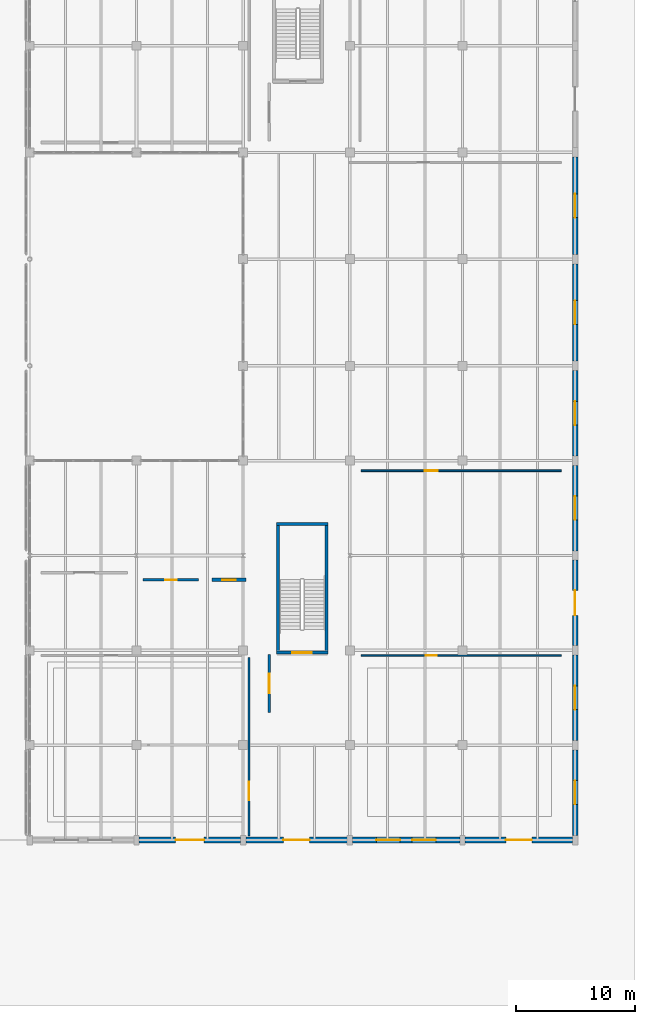
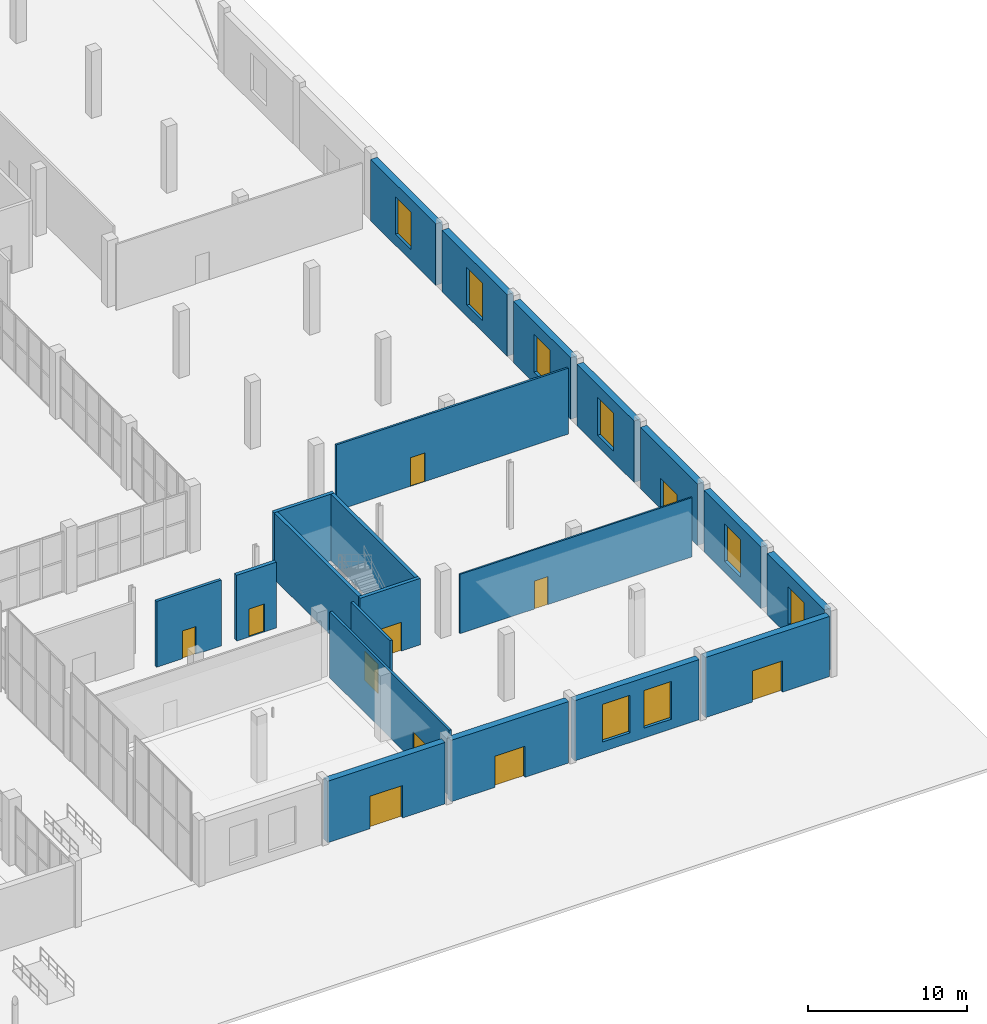
# One storey, part 88 of 103: 21 walls, 11 doors, 8 windows, 19 openings.
"""IFC4 building model written with IfcOpenShell, lengths in metres."""

from ifc_helpers import new_model, si_unit, direction, frame, frame_2d, origin, place, context, subcontext, project, spatial, rectangle, extrude, material, layer, layer_set, type_object, element, fill, save


model = new_model("IFC4")

# Units and contexts
model_context = context("Model", 3, precision=1e-05, world=origin(), true_north=direction((0.0, 1.0)))
body_context = subcontext(model_context, "Body", "Model", "MODEL_VIEW")
ifc_project = project(units=[si_unit("LENGTHUNIT", "METRE"), si_unit("AREAUNIT", "SQUARE_METRE"), si_unit("VOLUMEUNIT", "CUBIC_METRE"), si_unit("PLANEANGLEUNIT", "RADIAN"), si_unit("MASSUNIT", "GRAM", prefix="KILO")], contexts=[model_context])

# Site, building, storey
site_placement = place(None, origin())
site = spatial("IfcSite", under=ifc_project, at=site_placement, CompositionType="ELEMENT")
building_placement = place(site_placement, origin())
building = spatial("IfcBuilding", under=site, at=building_placement, Name="Marnock Terrace Opera House", CompositionType="ELEMENT")
storey_placement = place(building_placement, origin())
storey = spatial("IfcBuildingStorey", under=building, at=storey_placement, Name="L00", CompositionType="ELEMENT", Elevation=0.0)

# Wall, opening, door
ifc_material_1 = material(Name="Carey Gully rusticated stone masonry", Category="masonry")
ifc_layer_1 = layer(ifc_material_1, 0.47998046875)
ifc_layer_set_1 = layer_set([ifc_layer_1], Name="Carey Gully rusticated stone masonry")
wall_type_1 = type_object("IfcWallType", Name="EW-BASE-480", PredefinedType="SOLIDWALL", material=ifc_layer_set_1)
wall_1_placement = place(storey_placement, frame((135.779052734375, 8.0, 0.0), z_axis=(0.0, 0.0, 1.0), x_axis=(-1.0, 0.0, 0.0)))
wall_1 = element("IfcWall", 1, at=wall_1_placement, inside=storey, type_object=wall_type_1, Name="L00 Volume 5 south sandstone facade 2", PredefinedType="SOLIDWALL", context=body_context, shape_type="SweptSolid", body=[
    extrude(rectangle(XDim=8.55810546875, YDim=0.47998046875, at=frame_2d((4.279052734375, 0.0))), origin(), (0.0, 0.0, 1.0), 4.7314453125),
])
opening_1_placement = place(wall_1_placement, frame((3.0791015625, 0.0, 0.0)))
opening_1 = element("IfcOpeningElement", 2, at=opening_1_placement, cuts=wall_1, Name="Opening ED-13", PredefinedType="OPENING", context=body_context, shape_type="SweptSolid", body=[
    extrude(rectangle(XDim=2.39990234375, YDim=2.5, at=frame_2d((1.199951171875, 1.25))), frame((0.0, 0.25, 0.0), z_axis=(0.0, -1.0, 0.0), x_axis=(1.0, 0.0, 0.0)), (0.0, 0.0, 1.0), 0.5),
])
ifc_material_2 = material(Name="Anodised architectural bronze aluminium framing", Category="aluminium")
door_type_1 = type_object("IfcDoorType", Name="DT-EXIT-2400", OperationType="NOTDEFINED", PredefinedType="DOOR", material=ifc_material_2)
door_1_placement = place(opening_1_placement, origin())
door_1 = element("IfcDoor", 3, at=door_1_placement, inside=storey, type_object=door_type_1, Name="Exterior door ED-13", OperationType="DOUBLE_DOOR_SINGLE_SWING", OverallHeight=2.5, OverallWidth=2.39990234375, PredefinedType="DOOR", context=body_context, shape_type="SweptSolid", body=[
    extrude(rectangle(XDim=2.39990234375, YDim=2.5, at=frame_2d((1.199951171875, 1.25))), frame((0.0, 0.02490234375, 0.0), z_axis=(0.0, -1.0, 0.0), x_axis=(1.0, 0.0, 0.0)), (0.0, 0.0, 1.0), 0.050048828125),
])
fill(opening_1, door_1)

wall_2_placement = place(storey_placement, frame((144.779052734375, 8.0, 0.0), z_axis=(0.0, 0.0, 1.0), x_axis=(-1.0, 0.0, 0.0)))
wall_2 = element("IfcWall", 4, at=wall_2_placement, inside=storey, type_object=wall_type_1, Name="L00 Volume 5 south sandstone facade 3", PredefinedType="SOLIDWALL", context=body_context, shape_type="SweptSolid", body=[
    extrude(rectangle(XDim=8.55810546875, YDim=0.47998046875, at=frame_2d((4.279052734375, 0.0))), origin(), (0.0, 0.0, 1.0), 4.7314453125),
])
opening_2_placement = place(wall_2_placement, frame((3.178955078125, 0.0, 0.0)))
opening_2 = element("IfcOpeningElement", 5, at=opening_2_placement, cuts=wall_2, Name="Opening ED-20", PredefinedType="OPENING", context=body_context, shape_type="SweptSolid", body=[
    extrude(rectangle(XDim=2.199951171875, YDim=2.39990234375, at=frame_2d((1.10009765625, 1.199951171875))), frame((0.0, 0.25, 0.0), z_axis=(0.0, -1.0, 0.0), x_axis=(1.0, 0.0, 0.0)), (0.0, 0.0, 1.0), 0.5),
])
door_type_2 = type_object("IfcDoorType", Name="DT-EXIT-2200", OperationType="NOTDEFINED", PredefinedType="DOOR", material=ifc_material_2)
door_2_placement = place(opening_2_placement, origin())
door_2 = element("IfcDoor", 6, at=door_2_placement, inside=storey, type_object=door_type_2, Name="Exterior door ED-20", OperationType="DOUBLE_DOOR_SINGLE_SWING", OverallHeight=2.39990234375, OverallWidth=2.199951171875, PredefinedType="DOOR", context=body_context, shape_type="SweptSolid", body=[
    extrude(rectangle(XDim=2.199951171875, YDim=2.39990234375, at=frame_2d((1.10009765625, 1.199951171875))), frame((0.0, 0.02490234375, 0.0), z_axis=(0.0, -1.0, 0.0), x_axis=(1.0, 0.0, 0.0)), (0.0, 0.0, 1.0), 0.050048828125),
])
fill(opening_2, door_2)

# Wall, openings, windows
wall_3_placement = place(storey_placement, frame((145.220947265625, 8.0, 0.0), z_axis=(0.0, 0.0, 1.0), x_axis=(1.0, 0.0, 0.0)))
wall_3 = element("IfcWall", 7, at=wall_3_placement, inside=storey, type_object=wall_type_1, Name="L00 Volume 5 south sandstone facade 4", PredefinedType="SOLIDWALL", context=body_context, shape_type="SweptSolid", body=[
    extrude(rectangle(XDim=9.05810546875, YDim=0.47998046875, at=frame_2d((4.529052734375, 0.0))), origin(), (0.0, 0.0, 1.0), 4.629638671875),
])
opening_3_placement = place(wall_3_placement, frame((2.019287109375, 0.0, 0.75)))
opening_3 = element("IfcOpeningElement", 8, at=opening_3_placement, cuts=wall_3, Name="Opening WT-59", PredefinedType="OPENING", context=body_context, shape_type="SweptSolid", body=[
    extrude(rectangle(XDim=2.0, YDim=2.89990234375, at=frame_2d((1.0, 1.449951171875))), frame((0.0, 0.25, 0.0), z_axis=(0.0, -1.0, 0.0), x_axis=(1.0, 0.0, 0.0)), (0.0, 0.0, 1.0), 0.5),
])
opening_4_placement = place(wall_3_placement, frame((5.038818359375, 0.0, 0.75)))
opening_4 = element("IfcOpeningElement", 9, at=opening_4_placement, cuts=wall_3, Name="Opening WT-59", PredefinedType="OPENING", context=body_context, shape_type="SweptSolid", body=[
    extrude(rectangle(XDim=2.0, YDim=2.89990234375, at=frame_2d((1.0, 1.449951171875))), frame((0.0, 0.25, 0.0), z_axis=(0.0, -1.0, 0.0), x_axis=(1.0, 0.0, 0.0)), (0.0, 0.0, 1.0), 0.5),
])
ifc_material_3 = material(Name="Double-glazed acoustic low-E laminated glass", Category="glass")
window_type = type_object("IfcWindowType", Name="WT-ARCH-2000", PartitioningType="DOUBLE_PANEL_VERTICAL", PredefinedType="WINDOW", material=ifc_material_3)
window_1_placement = place(opening_3_placement, origin())
window_1 = element("IfcWindow", 10, at=window_1_placement, inside=storey, type_object=window_type, Name="L00 facade window EW-V5S-L00-4.1", OverallHeight=2.89990234375, OverallWidth=2.0, PartitioningType="SINGLE_PANEL", PredefinedType="WINDOW", context=body_context, shape_type="SweptSolid", body=[
    extrude(rectangle(XDim=2.0, YDim=2.89990234375, at=frame_2d((1.0, 1.449951171875))), frame((0.0, 0.030029296875, 0.0), z_axis=(0.0, -1.0, 0.0), x_axis=(1.0, 0.0, 0.0)), (0.0, 0.0, 1.0), 0.06005859375),
])
fill(opening_3, window_1)
window_2_placement = place(opening_4_placement, origin())
window_2 = element("IfcWindow", 11, at=window_2_placement, inside=storey, type_object=window_type, Name="L00 facade window EW-V5S-L00-4.2", OverallHeight=2.89990234375, OverallWidth=2.0, PartitioningType="SINGLE_PANEL", PredefinedType="WINDOW", context=body_context, shape_type="SweptSolid", body=[
    extrude(rectangle(XDim=2.0, YDim=2.89990234375, at=frame_2d((1.0, 1.449951171875))), frame((0.0, 0.030029296875, 0.0), z_axis=(0.0, -1.0, 0.0), x_axis=(1.0, 0.0, 0.0)), (0.0, 0.0, 1.0), 0.06005859375),
])
fill(opening_4, window_2)

# Wall, opening, door
wall_4_placement = place(storey_placement, frame((163.779052734375, 8.0, 0.0), z_axis=(0.0, 0.0, 1.0), x_axis=(-1.0, 0.0, 0.0)))
wall_4 = element("IfcWall", 12, at=wall_4_placement, inside=storey, type_object=wall_type_1, Name="L00 Volume 5 south sandstone facade 5", PredefinedType="SOLIDWALL", context=body_context, shape_type="SweptSolid", body=[
    extrude(rectangle(XDim=9.05810546875, YDim=0.47998046875, at=frame_2d((4.529052734375, 0.0))), origin(), (0.0, 0.0, 1.0), 4.629638671875),
])
opening_5_placement = place(wall_4_placement, frame((3.428955078125, 0.0, 0.0)))
opening_5 = element("IfcOpeningElement", 13, at=opening_5_placement, cuts=wall_4, Name="Opening ED-14", PredefinedType="OPENING", context=body_context, shape_type="SweptSolid", body=[
    extrude(rectangle(XDim=2.199951171875, YDim=2.39990234375, at=frame_2d((1.10009765625, 1.199951171875))), frame((0.0, 0.25, 0.0), z_axis=(0.0, -1.0, 0.0), x_axis=(1.0, 0.0, 0.0)), (0.0, 0.0, 1.0), 0.5),
])
door_3_placement = place(opening_5_placement, origin())
door_3 = element("IfcDoor", 14, at=door_3_placement, inside=storey, type_object=door_type_2, Name="Exterior door ED-14", OperationType="DOUBLE_DOOR_SINGLE_SWING", OverallHeight=2.39990234375, OverallWidth=2.199951171875, PredefinedType="DOOR", context=body_context, shape_type="SweptSolid", body=[
    extrude(rectangle(XDim=2.199951171875, YDim=2.39990234375, at=frame_2d((1.10009765625, 1.199951171875))), frame((0.0, 0.02490234375, 0.0), z_axis=(0.0, -1.0, 0.0), x_axis=(1.0, 0.0, 0.0)), (0.0, 0.0, 1.0), 0.050048828125),
])
fill(opening_5, door_3)

# Wall, opening, window
wall_5_placement = place(storey_placement, frame((164.0, 8.39599609375, 0.0), z_axis=(0.0, 0.0, 1.0), x_axis=(0.0, 1.0, 0.0)))
wall_5 = element("IfcWall", 15, at=wall_5_placement, inside=storey, type_object=wall_type_1, Name="L00 Volume 5 east sandstone facade 1", PredefinedType="SOLIDWALL", context=body_context, shape_type="SweptSolid", body=[
    extrude(rectangle(XDim=7.2080078125, YDim=0.47998046875, at=frame_2d((3.60400390625, 0.0))), origin(), (0.0, 0.0, 1.0), 4.7314453125),
])
opening_6_placement = place(wall_5_placement, frame((2.60400390625, 0.0, 0.85009765625)))
opening_6 = element("IfcOpeningElement", 16, at=opening_6_placement, cuts=wall_5, Name="Opening WT-59", PredefinedType="OPENING", context=body_context, shape_type="SweptSolid", body=[
    extrude(rectangle(XDim=2.0, YDim=2.89990234375, at=frame_2d((1.0, 1.449951171875))), frame((0.0, 0.25, 0.0), z_axis=(0.0, -1.0, 0.0), x_axis=(1.0, 0.0, 0.0)), (0.0, 0.0, 1.0), 0.5),
])
window_3_placement = place(opening_6_placement, origin())
window_3 = element("IfcWindow", 17, at=window_3_placement, inside=storey, type_object=window_type, Name="L00 facade window EW-V5E-L00-01.1", OverallHeight=2.89990234375, OverallWidth=2.0, PartitioningType="SINGLE_PANEL", PredefinedType="WINDOW", context=body_context, shape_type="SweptSolid", body=[
    extrude(rectangle(XDim=2.0, YDim=2.89990234375, at=frame_2d((1.0, 1.449951171875))), frame((0.0, 0.030029296875, 0.0), z_axis=(0.0, -1.0, 0.0), x_axis=(1.0, 0.0, 0.0)), (0.0, 0.0, 1.0), 0.06005859375),
])
fill(opening_6, window_3)

wall_6_placement = place(storey_placement, frame((164.0, 16.39599609375, 0.0), z_axis=(0.0, 0.0, 1.0), x_axis=(0.0, 1.0, 0.0)))
wall_6 = element("IfcWall", 18, at=wall_6_placement, inside=storey, type_object=wall_type_1, Name="L00 Volume 5 east sandstone facade 2", PredefinedType="SOLIDWALL", context=body_context, shape_type="SweptSolid", body=[
    extrude(rectangle(XDim=7.2080078125, YDim=0.47998046875, at=frame_2d((3.60400390625, 0.0))), origin(), (0.0, 0.0, 1.0), 4.7314453125),
])
opening_7_placement = place(wall_6_placement, frame((2.60400390625, 0.0, 0.85009765625)))
opening_7 = element("IfcOpeningElement", 19, at=opening_7_placement, cuts=wall_6, Name="Opening WT-59", PredefinedType="OPENING", context=body_context, shape_type="SweptSolid", body=[
    extrude(rectangle(XDim=2.0, YDim=2.89990234375, at=frame_2d((1.0, 1.449951171875))), frame((0.0, 0.25, 0.0), z_axis=(0.0, -1.0, 0.0), x_axis=(1.0, 0.0, 0.0)), (0.0, 0.0, 1.0), 0.5),
])
window_4_placement = place(opening_7_placement, origin())
window_4 = element("IfcWindow", 20, at=window_4_placement, inside=storey, type_object=window_type, Name="L00 facade window EW-V5E-L00-02.1", OverallHeight=2.89990234375, OverallWidth=2.0, PartitioningType="SINGLE_PANEL", PredefinedType="WINDOW", context=body_context, shape_type="SweptSolid", body=[
    extrude(rectangle(XDim=2.0, YDim=2.89990234375, at=frame_2d((1.0, 1.449951171875))), frame((0.0, 0.030029296875, 0.0), z_axis=(0.0, -1.0, 0.0), x_axis=(1.0, 0.0, 0.0)), (0.0, 0.0, 1.0), 0.06005859375),
])
fill(opening_7, window_4)

# Wall, opening, door
wall_7_placement = place(storey_placement, frame((164.0, 24.39599609375, 0.0), z_axis=(0.0, 0.0, 1.0), x_axis=(0.0, 1.0, 0.0)))
wall_7 = element("IfcWall", 21, at=wall_7_placement, inside=storey, type_object=wall_type_1, Name="L00 Volume 5 east sandstone facade 3", PredefinedType="SOLIDWALL", context=body_context, shape_type="SweptSolid", body=[
    extrude(rectangle(XDim=7.2080078125, YDim=0.47998046875, at=frame_2d((3.60400390625, 0.0))), origin(), (0.0, 0.0, 1.0), 4.7314453125),
])
opening_8_placement = place(wall_7_placement, frame((2.553955078125, 0.0, 0.0)))
opening_8 = element("IfcOpeningElement", 22, at=opening_8_placement, cuts=wall_7, Name="Opening ED-15", PredefinedType="OPENING", context=body_context, shape_type="SweptSolid", body=[
    extrude(rectangle(XDim=2.10009765625, YDim=2.35009765625, at=frame_2d((1.050048828125, 1.175048828125))), frame((0.0, 0.25, 0.0), z_axis=(0.0, -1.0, 0.0), x_axis=(1.0, 0.0, 0.0)), (0.0, 0.0, 1.0), 0.5),
])
door_type_3 = type_object("IfcDoorType", Name="DT-EXIT-2100", OperationType="NOTDEFINED", PredefinedType="DOOR", material=ifc_material_2)
door_4_placement = place(opening_8_placement, origin())
door_4 = element("IfcDoor", 23, at=door_4_placement, inside=storey, type_object=door_type_3, Name="Exterior door ED-15", OperationType="DOUBLE_DOOR_SINGLE_SWING", OverallHeight=2.35009765625, OverallWidth=2.10009765625, PredefinedType="DOOR", context=body_context, shape_type="SweptSolid", body=[
    extrude(rectangle(XDim=2.10009765625, YDim=2.35009765625, at=frame_2d((1.050048828125, 1.175048828125))), frame((0.0, 0.02490234375, 0.0), z_axis=(0.0, -1.0, 0.0), x_axis=(1.0, 0.0, 0.0)), (0.0, 0.0, 1.0), 0.050048828125),
])
fill(opening_8, door_4)

# Wall, opening, window
wall_8_placement = place(storey_placement, frame((164.0, 32.39599609375, 0.0), z_axis=(0.0, 0.0, 1.0), x_axis=(0.0, 1.0, 0.0)))
wall_8 = element("IfcWall", 24, at=wall_8_placement, inside=storey, type_object=wall_type_1, Name="L00 Volume 5 east sandstone facade 4", PredefinedType="SOLIDWALL", context=body_context, shape_type="SweptSolid", body=[
    extrude(rectangle(XDim=7.2080078125, YDim=0.47998046875, at=frame_2d((3.60400390625, 0.0))), origin(), (0.0, 0.0, 1.0), 4.7314453125),
])
opening_9_placement = place(wall_8_placement, frame((2.60400390625, 0.0, 0.85009765625)))
opening_9 = element("IfcOpeningElement", 25, at=opening_9_placement, cuts=wall_8, Name="Opening WT-59", PredefinedType="OPENING", context=body_context, shape_type="SweptSolid", body=[
    extrude(rectangle(XDim=2.0, YDim=2.89990234375, at=frame_2d((1.0, 1.449951171875))), frame((0.0, 0.25, 0.0), z_axis=(0.0, -1.0, 0.0), x_axis=(1.0, 0.0, 0.0)), (0.0, 0.0, 1.0), 0.5),
])
window_5_placement = place(opening_9_placement, origin())
window_5 = element("IfcWindow", 26, at=window_5_placement, inside=storey, type_object=window_type, Name="L00 facade window EW-V5E-L00-04.1", OverallHeight=2.89990234375, OverallWidth=2.0, PartitioningType="SINGLE_PANEL", PredefinedType="WINDOW", context=body_context, shape_type="SweptSolid", body=[
    extrude(rectangle(XDim=2.0, YDim=2.89990234375, at=frame_2d((1.0, 1.449951171875))), frame((0.0, 0.030029296875, 0.0), z_axis=(0.0, -1.0, 0.0), x_axis=(1.0, 0.0, 0.0)), (0.0, 0.0, 1.0), 0.06005859375),
])
fill(opening_9, window_5)

wall_9_placement = place(storey_placement, frame((164.0, 40.39599609375, 0.0), z_axis=(0.0, 0.0, 1.0), x_axis=(0.0, 1.0, 0.0)))
wall_9 = element("IfcWall", 27, at=wall_9_placement, inside=storey, type_object=wall_type_1, Name="L00 Volume 5 east sandstone facade 5", PredefinedType="SOLIDWALL", context=body_context, shape_type="SweptSolid", body=[
    extrude(rectangle(XDim=7.2080078125, YDim=0.47998046875, at=frame_2d((3.60400390625, 0.0))), origin(), (0.0, 0.0, 1.0), 4.7314453125),
])
opening_10_placement = place(wall_9_placement, frame((2.60400390625, 0.0, 0.85009765625)))
opening_10 = element("IfcOpeningElement", 28, at=opening_10_placement, cuts=wall_9, Name="Opening WT-59", PredefinedType="OPENING", context=body_context, shape_type="SweptSolid", body=[
    extrude(rectangle(XDim=2.0, YDim=2.89990234375, at=frame_2d((1.0, 1.449951171875))), frame((0.0, 0.25, 0.0), z_axis=(0.0, -1.0, 0.0), x_axis=(1.0, 0.0, 0.0)), (0.0, 0.0, 1.0), 0.5),
])
window_6_placement = place(opening_10_placement, origin())
window_6 = element("IfcWindow", 29, at=window_6_placement, inside=storey, type_object=window_type, Name="L00 facade window EW-V5E-L00-05.1", OverallHeight=2.89990234375, OverallWidth=2.0, PartitioningType="SINGLE_PANEL", PredefinedType="WINDOW", context=body_context, shape_type="SweptSolid", body=[
    extrude(rectangle(XDim=2.0, YDim=2.89990234375, at=frame_2d((1.0, 1.449951171875))), frame((0.0, 0.030029296875, 0.0), z_axis=(0.0, -1.0, 0.0), x_axis=(1.0, 0.0, 0.0)), (0.0, 0.0, 1.0), 0.06005859375),
])
fill(opening_10, window_6)

wall_10_placement = place(storey_placement, frame((164.0, 48.39599609375, 0.0), z_axis=(0.0, 0.0, 1.0), x_axis=(0.0, 1.0, 0.0)))
wall_10 = element("IfcWall", 30, at=wall_10_placement, inside=storey, type_object=wall_type_1, Name="L00 Volume 5 east sandstone facade 6", PredefinedType="SOLIDWALL", context=body_context, shape_type="SweptSolid", body=[
    extrude(rectangle(XDim=8.2080078125, YDim=0.47998046875, at=frame_2d((4.10400390625, 0.0))), origin(), (0.0, 0.0, 1.0), 4.7314453125),
])
opening_11_placement = place(wall_10_placement, frame((3.10400390625, 0.0, 0.85009765625)))
opening_11 = element("IfcOpeningElement", 31, at=opening_11_placement, cuts=wall_10, Name="Opening WT-59", PredefinedType="OPENING", context=body_context, shape_type="SweptSolid", body=[
    extrude(rectangle(XDim=2.0, YDim=2.89990234375, at=frame_2d((1.0, 1.449951171875))), frame((0.0, 0.25, 0.0), z_axis=(0.0, -1.0, 0.0), x_axis=(1.0, 0.0, 0.0)), (0.0, 0.0, 1.0), 0.5),
])
window_7_placement = place(opening_11_placement, origin())
window_7 = element("IfcWindow", 32, at=window_7_placement, inside=storey, type_object=window_type, Name="L00 facade window EW-V5E-L00-06.1", OverallHeight=2.89990234375, OverallWidth=2.0, PartitioningType="SINGLE_PANEL", PredefinedType="WINDOW", context=body_context, shape_type="SweptSolid", body=[
    extrude(rectangle(XDim=2.0, YDim=2.89990234375, at=frame_2d((1.0, 1.449951171875))), frame((0.0, 0.030029296875, 0.0), z_axis=(0.0, -1.0, 0.0), x_axis=(1.0, 0.0, 0.0)), (0.0, 0.0, 1.0), 0.06005859375),
])
fill(opening_11, window_7)

wall_11_placement = place(storey_placement, frame((164.0, 57.39599609375, 0.0), z_axis=(0.0, 0.0, 1.0), x_axis=(0.0, 1.0, 0.0)))
wall_11 = element("IfcWall", 33, at=wall_11_placement, inside=storey, type_object=wall_type_1, Name="L00 Volume 5 east sandstone facade 7", PredefinedType="SOLIDWALL", context=body_context, shape_type="SweptSolid", body=[
    extrude(rectangle(XDim=8.2080078125, YDim=0.47998046875, at=frame_2d((4.10400390625, 0.0))), origin(), (0.0, 0.0, 1.0), 4.7314453125),
])
opening_12_placement = place(wall_11_placement, frame((3.10400390625, 0.0, 0.85009765625)))
opening_12 = element("IfcOpeningElement", 34, at=opening_12_placement, cuts=wall_11, Name="Opening WT-59", PredefinedType="OPENING", context=body_context, shape_type="SweptSolid", body=[
    extrude(rectangle(XDim=2.0, YDim=2.89990234375, at=frame_2d((1.0, 1.449951171875))), frame((0.0, 0.25, 0.0), z_axis=(0.0, -1.0, 0.0), x_axis=(1.0, 0.0, 0.0)), (0.0, 0.0, 1.0), 0.5),
])
window_8_placement = place(opening_12_placement, origin())
window_8 = element("IfcWindow", 35, at=window_8_placement, inside=storey, type_object=window_type, Name="L00 facade window EW-V5E-L00-07.1", OverallHeight=2.89990234375, OverallWidth=2.0, PartitioningType="SINGLE_PANEL", PredefinedType="WINDOW", context=body_context, shape_type="SweptSolid", body=[
    extrude(rectangle(XDim=2.0, YDim=2.89990234375, at=frame_2d((1.0, 1.449951171875))), frame((0.0, 0.030029296875, 0.0), z_axis=(0.0, -1.0, 0.0), x_axis=(1.0, 0.0, 0.0)), (0.0, 0.0, 1.0), 0.06005859375),
])
fill(opening_12, window_8)

# Wall, opening, door
ifc_material_4 = material(Name="Rendered acoustic concrete blockwork", Category="masonry")
ifc_layer_2 = layer(ifc_material_4, 0.175048828125)
ifc_layer_set_2 = layer_set([ifc_layer_2], Name="Rendered acoustic concrete blockwork")
wall_type_2 = type_object("IfcWallType", Name="IW-FIRE-175", PredefinedType="PARTITIONING", material=ifc_layer_set_2)
wall_12_placement = place(storey_placement, frame((136.5, 8.35009765625, 0.0), z_axis=(0.0, 0.0, 1.0), x_axis=(0.0, 1.0, 0.0)))
wall_12 = element("IfcWall", 36, at=wall_12_placement, inside=storey, type_object=wall_type_2, Name="L00 Protected exit passageway fire wall PW-EX-C6-W", PredefinedType="PARTITIONING", context=body_context, shape_type="SweptSolid", body=[
    extrude(rectangle(XDim=15.0498046875, YDim=0.175048828125, at=frame_2d((7.52490234375, 0.0))), origin(), (0.0, 0.0, 1.0), 5.080078125),
])
opening_13_placement = place(wall_12_placement, frame((3.0, 0.0, 0.0)))
opening_13 = element("IfcOpeningElement", 37, at=opening_13_placement, cuts=wall_12, Name="Opening PD-EX-C6", PredefinedType="OPENING", context=body_context, shape_type="SweptSolid", body=[
    extrude(rectangle(XDim=1.550048828125, YDim=2.219970703125, at=frame_2d((0.77490234375, 1.10986328125))), frame((0.0, 0.097412109375, 0.0), z_axis=(0.0, -1.0, 0.0), x_axis=(1.0, 0.0, 0.0)), (0.0, 0.0, 1.0), 0.195068359375),
])
ifc_material_5 = material(Name="Fire-rated acoustic timber-core door assembly", Category="wood")
door_type_4 = type_object("IfcDoorType", Name="DT-LOBBY-1550", OperationType="NOTDEFINED", PredefinedType="DOOR", material=ifc_material_5)
door_5_placement = place(opening_13_placement, origin())
door_5 = element("IfcDoor", 38, at=door_5_placement, inside=storey, type_object=door_type_4, Name="L00 Protected exit passageway self-closing smoke door PD-EX-C6", OperationType="SINGLE_SWING_LEFT", OverallHeight=2.219970703125, OverallWidth=1.550048828125, PredefinedType="DOOR", context=body_context, shape_type="SweptSolid", body=[
    extrude(rectangle(XDim=1.550048828125, YDim=2.219970703125, at=frame_2d((0.77490234375, 1.10986328125))), frame((0.0, 0.02490234375, 0.0), z_axis=(0.0, -1.0, 0.0), x_axis=(1.0, 0.0, 0.0)), (0.0, 0.0, 1.0), 0.050048828125),
])
fill(opening_13, door_5)

ifc_layer_3 = layer(ifc_material_4, 0.18505859375)
ifc_layer_set_3 = layer_set([ifc_layer_3], Name="Rendered acoustic concrete blockwork")
wall_type_3 = type_object("IfcWallType", Name="IW-FIRE-185", PredefinedType="PARTITIONING", material=ifc_layer_set_3)
wall_13_placement = place(storey_placement, frame((138.199951171875, 18.75, 0.0), z_axis=(0.0, 0.0, 1.0), x_axis=(0.0, 1.0, 0.0)))
wall_13 = element("IfcWall", 39, at=wall_13_placement, inside=storey, type_object=wall_type_3, Name="L00 C6 fire-rated lift and stair lobby wall", PredefinedType="PARTITIONING", context=body_context, shape_type="SweptSolid", body=[
    extrude(rectangle(XDim=4.89990234375, YDim=0.18505859375, at=frame_2d((2.449951171875, 0.0))), origin(), (0.0, 0.0, 1.0), 5.070068359375),
])
opening_14_placement = place(wall_13_placement, frame((1.610107421875, 0.0, 0.0)))
opening_14 = element("IfcOpeningElement", 40, at=opening_14_placement, cuts=wall_13, Name="Opening FD-C6-L00", PredefinedType="OPENING", context=body_context, shape_type="SweptSolid", body=[
    extrude(rectangle(XDim=1.679931640625, YDim=2.25, at=frame_2d((0.83984375, 1.125))), frame((0.0, 0.1025390625, 0.0), z_axis=(0.0, -1.0, 0.0), x_axis=(1.0, 0.0, 0.0)), (0.0, 0.0, 1.0), 0.205078125),
])
door_type_5 = type_object("IfcDoorType", Name="DT-LOBBY-1680", OperationType="NOTDEFINED", PredefinedType="DOOR", material=ifc_material_5)
door_6_placement = place(opening_14_placement, origin())
door_6 = element("IfcDoor", 41, at=door_6_placement, inside=storey, type_object=door_type_5, Name="L00 C6 lobby self-closing smoke door", OperationType="SINGLE_SWING_RIGHT", OverallHeight=2.25, OverallWidth=1.679931640625, PredefinedType="DOOR", context=body_context, shape_type="SweptSolid", body=[
    extrude(rectangle(XDim=1.679931640625, YDim=2.25, at=frame_2d((0.83984375, 1.125))), frame((0.0, 0.02490234375, 0.0), z_axis=(0.0, -1.0, 0.0), x_axis=(1.0, 0.0, 0.0)), (0.0, 0.0, 1.0), 0.050048828125),
])
fill(opening_14, door_6)

ifc_material_6 = material(Name="Double-stud acoustic plasterboard with mineral-wool infill")
ifc_layer_4 = layer(ifc_material_6, 0.117919921875)
ifc_layer_set_4 = layer_set([ifc_layer_4], Name="Double-stud acoustic plasterboard with mineral-wool infill")
wall_type_4 = type_object("IfcWallType", Name="IW-PART-118", PredefinedType="PARTITIONING", material=ifc_layer_set_4)
wall_14_placement = place(storey_placement, frame((145.949951171875, 23.550048828125, 0.0), z_axis=(0.0, 0.0, 1.0), x_axis=(1.0, 0.0, 0.0)))
wall_14 = element("IfcWall", 42, at=wall_14_placement, inside=storey, type_object=wall_type_4, Name="L00 Opera Shop acoustic partition wall", PredefinedType="PARTITIONING", context=body_context, shape_type="SweptSolid", body=[
    extrude(rectangle(XDim=16.900146484375, YDim=0.117919921875, at=frame_2d((8.4501953125, 0.0))), origin(), (0.0, 0.0, 1.0), 4.556884765625),
])
opening_15_placement = place(wall_14_placement, frame((5.43505859375, 0.0, 0.0)))
opening_15 = element("IfcOpeningElement", 43, at=opening_15_placement, cuts=wall_14, Name="Opening D-L00-24", PredefinedType="OPENING", context=body_context, shape_type="SweptSolid", body=[
    extrude(rectangle(XDim=0.9599609375, YDim=2.14990234375, at=frame_2d((0.47998046875, 1.074951171875))), frame((0.0, 0.06884765625, 0.0), z_axis=(0.0, -1.0, 0.0), x_axis=(1.0, 0.0, 0.0)), (0.0, 0.0, 1.0), 0.137939453125),
])
ifc_material_7 = material(Name="Solid-core Tasmanian oak acoustic door leaf")
door_type_6 = type_object("IfcDoorType", Name="DT-ROOM-960", OperationType="NOTDEFINED", PredefinedType="DOOR", material=ifc_material_7)
door_7_placement = place(opening_15_placement, origin())
door_7 = element("IfcDoor", 44, at=door_7_placement, inside=storey, type_object=door_type_6, Name="L00 Opera Shop entrance door", OperationType="SINGLE_SWING_LEFT", OverallHeight=2.14990234375, OverallWidth=0.9599609375, PredefinedType="DOOR", context=body_context, shape_type="SweptSolid", body=[
    extrude(rectangle(XDim=0.9599609375, YDim=2.14990234375, at=frame_2d((0.47998046875, 1.074951171875))), frame((0.0, 0.02490234375, 0.0), z_axis=(0.0, -1.0, 0.0), x_axis=(1.0, 0.0, 0.0)), (0.0, 0.0, 1.0), 0.050048828125),
])
fill(opening_15, door_7)

ifc_layer_5 = layer(ifc_material_6, 0.14794921875)
ifc_layer_set_5 = layer_set([ifc_layer_5], Name="Double-stud acoustic plasterboard with mineral-wool infill")
wall_type_5 = type_object("IfcWallType", Name="IW-PART-148", PredefinedType="PARTITIONING", material=ifc_layer_set_5)
wall_15_placement = place(storey_placement, frame((145.949951171875, 39.14990234375, 0.0), z_axis=(0.0, 0.0, 1.0), x_axis=(1.0, 0.0, 0.0)))
wall_15 = element("IfcWall", 45, at=wall_15_placement, inside=storey, type_object=wall_type_5, Name="L00 Community Recital Room acoustic partition wall", PredefinedType="PARTITIONING", context=body_context, shape_type="SweptSolid", body=[
    extrude(rectangle(XDim=16.900146484375, YDim=0.14794921875, at=frame_2d((8.4501953125, 0.0))), origin(), (0.0, 0.0, 1.0), 5.070068359375),
])
opening_16_placement = place(wall_15_placement, frame((5.385009765625, 0.0, 0.0)))
opening_16 = element("IfcOpeningElement", 46, at=opening_16_placement, cuts=wall_15, Name="Opening D-L00-26", PredefinedType="OPENING", context=body_context, shape_type="SweptSolid", body=[
    extrude(rectangle(XDim=1.06005859375, YDim=2.199951171875, at=frame_2d((0.530029296875, 1.10009765625))), frame((0.0, 0.083984375, 0.0), z_axis=(0.0, -1.0, 0.0), x_axis=(1.0, 0.0, 0.0)), (0.0, 0.0, 1.0), 0.16796875),
])
door_type_7 = type_object("IfcDoorType", Name="DT-SUITE-1060", OperationType="NOTDEFINED", PredefinedType="DOOR", material=ifc_material_7)
door_8_placement = place(opening_16_placement, origin())
door_8 = element("IfcDoor", 47, at=door_8_placement, inside=storey, type_object=door_type_7, Name="L00 Community Recital Room entrance door", OperationType="SINGLE_SWING_LEFT", OverallHeight=2.199951171875, OverallWidth=1.06005859375, PredefinedType="DOOR", context=body_context, shape_type="SweptSolid", body=[
    extrude(rectangle(XDim=1.06005859375, YDim=2.199951171875, at=frame_2d((0.530029296875, 1.10009765625))), frame((0.0, 0.02490234375, 0.0), z_axis=(0.0, -1.0, 0.0), x_axis=(1.0, 0.0, 0.0)), (0.0, 0.0, 1.0), 0.050048828125),
])
fill(opening_16, door_8)

ifc_material_8 = material(Name="Moisture-resistant tiled service duct framing")
ifc_layer_6 = layer(ifc_material_8, 0.205078125)
ifc_layer_set_6 = layer_set([ifc_layer_6], Name="Moisture-resistant tiled service duct framing")
wall_type_6 = type_object("IfcWallType", Name="IW-PLUMB-205", PredefinedType="PLUMBINGWALL", material=ifc_layer_set_6)
wall_16_placement = place(storey_placement, frame((127.550048828125, 29.949951171875, 0.0), z_axis=(0.0, 0.0, 1.0), x_axis=(1.0, 0.0, 0.0)))
wall_16 = element("IfcWall", 48, at=wall_16_placement, inside=storey, type_object=wall_type_6, Name="L00 Public WC L00 East acoustic partition wall", PredefinedType="PLUMBINGWALL", context=body_context, shape_type="SweptSolid", body=[
    extrude(rectangle(XDim=4.699951171875, YDim=0.205078125, at=frame_2d((2.35009765625, 0.0))), origin(), (0.0, 0.0, 1.0), 5.070068359375),
])
opening_17_placement = place(wall_16_placement, frame((1.860107421875, 0.0, 0.0)))
opening_17 = element("IfcOpeningElement", 49, at=opening_17_placement, cuts=wall_16, Name="Opening D-L00-34", PredefinedType="OPENING", context=body_context, shape_type="SweptSolid", body=[
    extrude(rectangle(XDim=0.97998046875, YDim=2.139892578125, at=frame_2d((0.489990234375, 1.06982421875))), frame((0.0, 0.112548828125, 0.0), z_axis=(0.0, -1.0, 0.0), x_axis=(1.0, 0.0, 0.0)), (0.0, 0.0, 1.0), 0.22509765625),
])
door_type_8 = type_object("IfcDoorType", Name="DT-WC-980", OperationType="NOTDEFINED", PredefinedType="DOOR", material=ifc_material_7)
door_9_placement = place(opening_17_placement, origin())
door_9 = element("IfcDoor", 50, at=door_9_placement, inside=storey, type_object=door_type_8, Name="L00 Public WC L00 East entrance door", OperationType="SINGLE_SWING_RIGHT", OverallHeight=2.139892578125, OverallWidth=0.97998046875, PredefinedType="DOOR", context=body_context, shape_type="SweptSolid", body=[
    extrude(rectangle(XDim=0.97998046875, YDim=2.139892578125, at=frame_2d((0.489990234375, 1.06982421875))), frame((0.0, 0.02490234375, 0.0), z_axis=(0.0, -1.0, 0.0), x_axis=(1.0, 0.0, 0.0)), (0.0, 0.0, 1.0), 0.050048828125),
])
fill(opening_17, door_9)

ifc_layer_7 = layer(ifc_material_8, 0.264892578125)
ifc_layer_set_7 = layer_set([ifc_layer_7], Name="Moisture-resistant tiled service duct framing")
wall_type_7 = type_object("IfcWallType", Name="IW-PLUMB-265", PredefinedType="PLUMBINGWALL", material=ifc_layer_set_7)
wall_17_placement = place(storey_placement, frame((133.35009765625, 29.949951171875, 0.0), z_axis=(0.0, 0.0, 1.0), x_axis=(1.0, 0.0, 0.0)))
wall_17 = element("IfcWall", 51, at=wall_17_placement, inside=storey, type_object=wall_type_7, Name="L00 Accessible WC L00 East acoustic partition wall", PredefinedType="PLUMBINGWALL", context=body_context, shape_type="SweptSolid", body=[
    extrude(rectangle(XDim=2.89990234375, YDim=0.264892578125, at=frame_2d((1.449951171875, 0.0))), origin(), (0.0, 0.0, 1.0), 5.070068359375),
])
opening_18_placement = place(wall_17_placement, frame((0.889892578125, 0.0, 0.0)))
opening_18 = element("IfcOpeningElement", 52, at=opening_18_placement, cuts=wall_17, Name="Opening D-L00-35", PredefinedType="OPENING", context=body_context, shape_type="SweptSolid", body=[
    extrude(rectangle(XDim=1.1201171875, YDim=2.159912109375, at=frame_2d((0.56005859375, 1.080078125))), frame((0.0, 0.142333984375, 0.0), z_axis=(0.0, -1.0, 0.0), x_axis=(1.0, 0.0, 0.0)), (0.0, 0.0, 1.0), 0.284912109375),
])
door_type_9 = type_object("IfcDoorType", Name="DT-ACCWC-1120", OperationType="NOTDEFINED", PredefinedType="DOOR", material=ifc_material_7)
door_10_placement = place(opening_18_placement, origin())
door_10 = element("IfcDoor", 53, at=door_10_placement, inside=storey, type_object=door_type_9, Name="L00 Accessible WC L00 East entrance door", OperationType="SINGLE_SWING_LEFT", OverallHeight=2.159912109375, OverallWidth=1.1201171875, PredefinedType="DOOR", context=body_context, shape_type="SweptSolid", body=[
    extrude(rectangle(XDim=1.1201171875, YDim=2.159912109375, at=frame_2d((0.56005859375, 1.080078125))), frame((0.0, 0.02490234375, 0.0), z_axis=(0.0, -1.0, 0.0), x_axis=(1.0, 0.0, 0.0)), (0.0, 0.0, 1.0), 0.050048828125),
])
fill(opening_18, door_10)

ifc_material_9 = material(Name="Concrete N40 (f'c = 40 MPa)", Category="concrete")
ifc_layer_8 = layer(ifc_material_9, 0.25)
ifc_layer_set_8 = layer_set([ifc_layer_8], Name="Concrete N40 (f'c = 40 MPa)")
wall_type_8 = type_object("IfcWallType", Name="SW-CORE-250", PredefinedType="SHEAR", material=ifc_layer_set_8)
wall_18_placement = place(storey_placement, frame((138.794921875, 23.800048828125, 0.0), z_axis=(0.0, 0.0, 1.0), x_axis=(1.0, 0.0, 0.0)))
wall_18 = element("IfcWall", 54, at=wall_18_placement, inside=storey, type_object=wall_type_8, Name="L00 Core C6 FRL 120/120/120 shear wall S", PredefinedType="SHEAR", context=body_context, shape_type="SweptSolid", body=[
    extrude(rectangle(XDim=4.3701171875, YDim=0.25, at=frame_2d((2.18505859375, 0.0))), origin(), (0.0, 0.0, 1.0), 5.1201171875),
])
opening_19_placement = place(wall_18_placement, frame((1.360107421875, 0.0, 0.0)))
opening_19 = element("IfcOpeningElement", 55, at=opening_19_placement, cuts=wall_18, Name="Opening SD-C6-L00", PredefinedType="OPENING", context=body_context, shape_type="SweptSolid", body=[
    extrude(rectangle(XDim=1.64990234375, YDim=2.219970703125, at=frame_2d((0.824951171875, 1.10986328125))), frame((0.0, 0.135009765625, 0.0), z_axis=(0.0, -1.0, 0.0), x_axis=(1.0, 0.0, 0.0)), (0.0, 0.0, 1.0), 0.27001953125),
])
door_type_10 = type_object("IfcDoorType", Name="DT-STAIR-1650", OperationType="NOTDEFINED", PredefinedType="DOOR", material=ifc_material_5)
door_11_placement = place(opening_19_placement, origin())
door_11 = element("IfcDoor", 56, at=door_11_placement, inside=storey, type_object=door_type_10, Name="L00 Stair ST-06 fire-isolated exit door", OperationType="SINGLE_SWING_LEFT", OverallHeight=2.219970703125, OverallWidth=1.64990234375, PredefinedType="DOOR", context=body_context, shape_type="SweptSolid", body=[
    extrude(rectangle(XDim=1.64990234375, YDim=2.219970703125, at=frame_2d((0.824951171875, 1.10986328125))), frame((0.0, 0.02490234375, 0.0), z_axis=(0.0, -1.0, 0.0), x_axis=(1.0, 0.0, 0.0)), (0.0, 0.0, 1.0), 0.050048828125),
])
fill(opening_19, door_11)

# Walls
wall_19_placement = place(storey_placement, frame((138.794921875, 34.639892578125, 0.0), z_axis=(0.0, 0.0, 1.0), x_axis=(1.0, 0.0, 0.0)))
element("IfcWall", 57, at=wall_19_placement, inside=storey, type_object=wall_type_8, Name="L00 Core C6 FRL 120/120/120 shear wall N", PredefinedType="SHEAR", context=body_context, shape_type="SweptSolid", body=[
    extrude(rectangle(XDim=4.3701171875, YDim=0.25, at=frame_2d((2.18505859375, 0.0))), origin(), (0.0, 0.0, 1.0), 5.1201171875),
])
for number, where, z_axis, x_axis, name in (
    (58, (138.919921875, 23.675048828125, 0.0), (0.0, 0.0, 1.0), (0.0, 1.0, 0.0), "L00 Core C6 FRL 120/120/120 shear wall W"),
    (59, (143.0400390625, 23.675048828125, 0.0), (0.0, 0.0, 1.0), (0.0, 1.0, 0.0), "L00 Core C6 FRL 120/120/120 shear wall E"),
):
    element("IfcWall", number, at=place(storey_placement, frame(where, z_axis=z_axis, x_axis=x_axis)), inside=storey, type_object=wall_type_8, Name=name, PredefinedType="SHEAR", context=body_context, shape_type="SweptSolid", body=[
        extrude(rectangle(XDim=11.08984375, YDim=0.25, at=frame_2d((5.544921875, 0.0))), origin(), (0.0, 0.0, 1.0), 5.1201171875),
    ])

save(model, "model.ifc")
